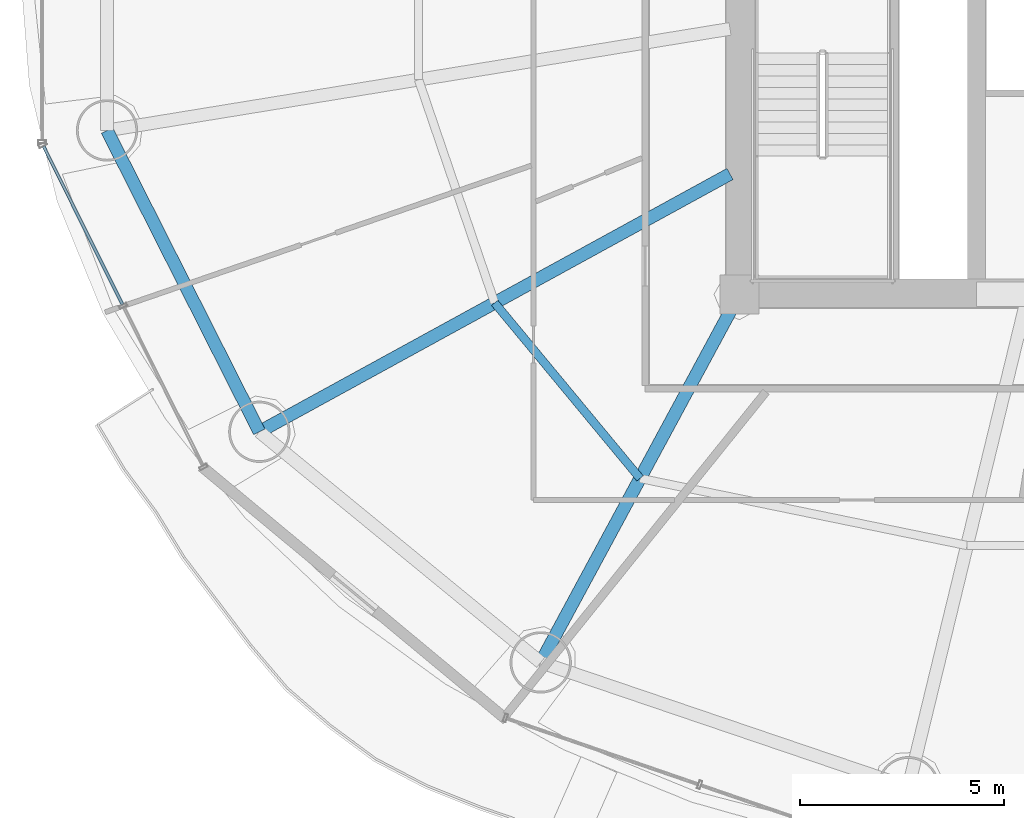
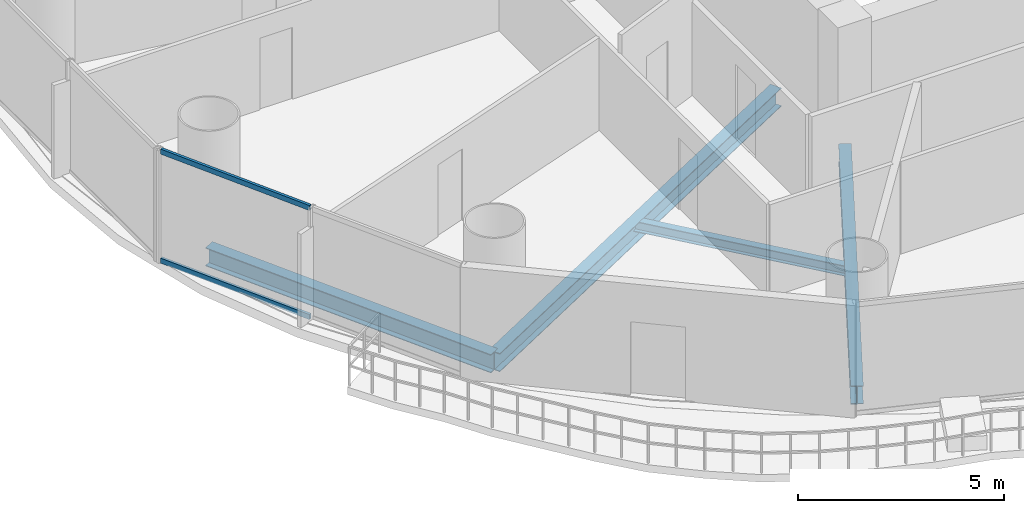
# One storey, part 3 of 29: 4 beams, 2 members, 1 element without a shape of its own.
"""IFC4 building model written with IfcOpenShell, lengths in metres."""

from ifc_helpers import new_model, si_unit, direction, frame, origin, origin_2d, place, context, subcontext, project, spatial, hollow_rectangle, i_section, extrude, source, transform, mapped, material, material_profile, profile_set, type_object, element, aggregate, save


model = new_model("IFC4")

# Units and contexts
model_context = context("Model", 3, precision=1e-05, world=origin(), true_north=direction((-0.2419218956, 0.970295726276)))
body_context = subcontext(model_context, "Body", "Model", "MODEL_VIEW")
ifc_project = project(units=[si_unit("LENGTHUNIT", "METRE"), si_unit("AREAUNIT", "SQUARE_METRE"), si_unit("VOLUMEUNIT", "CUBIC_METRE"), si_unit("PLANEANGLEUNIT", "RADIAN"), si_unit("MASSUNIT", "GRAM", prefix="KILO")], contexts=[model_context])

# Site, building, storey
site_placement = place(None, origin())
site = spatial("IfcSite", under=ifc_project, at=site_placement, CompositionType="ELEMENT")
building_placement = place(site_placement, origin())
building = spatial("IfcBuilding", under=site, at=building_placement, Name="Cobrevalo Terracotta Tower", CompositionType="ELEMENT")
storey_placement = place(building_placement, frame((0.0, 0.0, 112.199951171875)))
storey = spatial("IfcBuildingStorey", under=building, at=storey_placement, Name="L29", CompositionType="ELEMENT", Elevation=112.199951171875)

# Beams
ifc_material_1 = material(Name="Steel S355", Category="steel")
ifc_material_profile_1 = material_profile(ifc_material_1, i_section(OverallWidth=0.31201171875, OverallDepth=0.54296875, WebThickness=0.0126953125, FlangeThickness=0.020263671875, at=origin_2d()), Name="W 530x150")
ifc_profile_set_1 = profile_set([ifc_material_profile_1], Name="Steel S355")
beam_type_1 = type_object("IfcBeamType", Name="Structural Beam W 530x150 (Steel S355)", PredefinedType="BEAM", material=ifc_profile_set_1)
beam_1_placement = place(storey_placement, frame((17.2548828125, 15.4384765625, -0.54638671875), z_axis=(0.877072765004, 0.480357538599, 0.0), x_axis=(-0.480357538599, 0.877072765004, 0.0)))
element("IfcBeam", 1, at=beam_1_placement, inside=storey, type_object=beam_type_1, Name="L29 radial floor girder 10", PredefinedType="BEAM", context=body_context, shape_type="SweptSolid", body=[
    extrude(i_section(OverallWidth=0.31201171875, OverallDepth=0.54296875, WebThickness=0.0126953125, FlangeThickness=0.020263671875, at=origin_2d()), origin(), (0.0, 0.0, 1.0), 13.129150390625),
])
beam_2_placement = place(storey_placement, frame((24.138427734375, 9.79638671875, -0.54638671875), z_axis=(0.475118249298, 0.879921956303, 0.0), x_axis=(-0.879921956303, 0.475118249298, 0.0)))
element("IfcBeam", 2, at=beam_2_placement, inside=storey, type_object=beam_type_1, Name="L29 radial floor girder 11", PredefinedType="BEAM", context=body_context, shape_type="SweptSolid", body=[
    extrude(i_section(OverallWidth=0.31201171875, OverallDepth=0.54296875, WebThickness=0.0126953125, FlangeThickness=0.020263671875, at=origin_2d()), origin(), (0.0, 0.0, 1.0), 10.232421875),
])
ifc_material_profile_2 = material_profile(ifc_material_1, i_section(OverallWidth=0.2041015625, OverallDepth=0.305908203125, WebThickness=0.008544921875, FlangeThickness=0.0146484375, at=origin_2d()), Name="W 310x67")
ifc_profile_set_2 = profile_set([ifc_material_profile_2], Name="Steel S355")
beam_type_2 = type_object("IfcBeamType", Name="Structural Joist W 310x67 (Steel S355)", PredefinedType="JOIST", material=ifc_profile_set_2)
beam_3_placement = place(storey_placement, frame((23.012451171875, 18.591796875, -0.427978515625), z_axis=(0.6379592588, -0.77007011636, 0.0), x_axis=(0.77007011636, 0.6379592588, 0.0)))
element("IfcBeam", 3, at=beam_3_placement, inside=storey, type_object=beam_type_2, Name="L29 circumferential secondary floor joist 10", PredefinedType="JOIST", context=body_context, shape_type="SweptSolid", body=[
    extrude(i_section(OverallWidth=0.2041015625, OverallDepth=0.305908203125, WebThickness=0.008544921875, FlangeThickness=0.0146484375, at=origin_2d()), origin(), (0.0, 0.0, 1.0), 5.575439453125),
])
ifc_material_profile_3 = material_profile(ifc_material_1, i_section(OverallWidth=0.31201171875, OverallDepth=0.54296875, WebThickness=0.0126953125, FlangeThickness=0.020263671875, at=origin_2d()), Name="W 530x150")
ifc_profile_set_3 = profile_set([ifc_material_profile_3], Name="Steel S355")
beam_type_3 = type_object("IfcBeamType", Name="Structural Spandrel W 530x150 (Steel S355)", PredefinedType="SPANDREL", material=ifc_profile_set_3)
beam_4_placement = place(storey_placement, frame((13.529296875, 22.810302734375, -0.54638671875), z_axis=(0.451051982172, -0.892497680321, 0.0), x_axis=(0.892497680321, 0.451051982172, 0.0)))
element("IfcBeam", 4, at=beam_4_placement, inside=storey, type_object=beam_type_3, Name="L29 perimeter ring spandrel 09", PredefinedType="SPANDREL", context=body_context, shape_type="SweptSolid", body=[
    extrude(i_section(OverallWidth=0.31201171875, OverallDepth=0.54296875, WebThickness=0.0126953125, FlangeThickness=0.020263671875, at=origin_2d()), origin(), (0.0, 0.0, 1.0), 8.259765625),
])

# Curtain wall, members
ifc_material_2 = material(Name="Anodized aluminium", Category="aluminium")
curtain_wall_type = type_object("IfcCurtainWallType", Name="Lower-tower unitised acoustic low-E curtain wall CW-U1", PredefinedType="NOTDEFINED", material=ifc_material_2)
curtain_wall_placement = place(storey_placement, origin())
curtain_wall = element("IfcCurtainWall", 5, at=curtain_wall_placement, inside=storey, type_object=curtain_wall_type, Name="L29 curtain wall CW-L29-S09", PredefinedType="NOTDEFINED")
ifc_material_profile_4 = material_profile(ifc_material_2, hollow_rectangle(XDim=0.074951171875, YDim=0.14990234375, WallThickness=0.00439453125, at=origin_2d()), Name="CWT 75x150")
ifc_profile_set_4 = profile_set([ifc_material_profile_4], Name="Anodized aluminium")
member_type = type_object("IfcMemberType", Name="Tower unitised aluminium transom 75x150", PredefinedType="USERDEFINED", material=ifc_profile_set_4)
shared_shape = source(origin(), body_context, "Body", "SweptSolid", [
    extrude(hollow_rectangle(XDim=0.074951171875, YDim=0.14990234375, WallThickness=0.00439453125, at=origin_2d()), origin(), (0.0, 0.0, 1.0), 4.324951171875),
])
member_1_placement = place(storey_placement, frame((11.976318359375, 22.4228515625, 0.050048828125), z_axis=(0.446219838389, -0.894923379864, 0.0), x_axis=(0.894923379864, 0.446219838389, 0.0)))
member_1 = element("IfcMember", 6, at=member_1_placement, type_object=member_type, Name="CW-L29-S09 transom B01-T1", ObjectType="TRANSOM", PredefinedType="USERDEFINED", context=body_context, shape_type="MappedRepresentation", body=[
    mapped(shared_shape, transform((0.0, 0.0, 0.0), scale=1.0)),
])
member_2_placement = place(storey_placement, frame((11.976318359375, 22.4228515625, 3.275146484375), z_axis=(0.446219838389, -0.894923379864, 0.0), x_axis=(0.894923379864, 0.446219838389, 0.0)))
member_2 = element("IfcMember", 7, at=member_2_placement, type_object=member_type, Name="CW-L29-S09 transom B01-T2", ObjectType="TRANSOM", PredefinedType="USERDEFINED", context=body_context, shape_type="MappedRepresentation", body=[
    mapped(shared_shape, transform((0.0, 0.0, 0.0), scale=1.0)),
])
aggregate(curtain_wall, [member_1, member_2])

save(model, "model.ifc")
